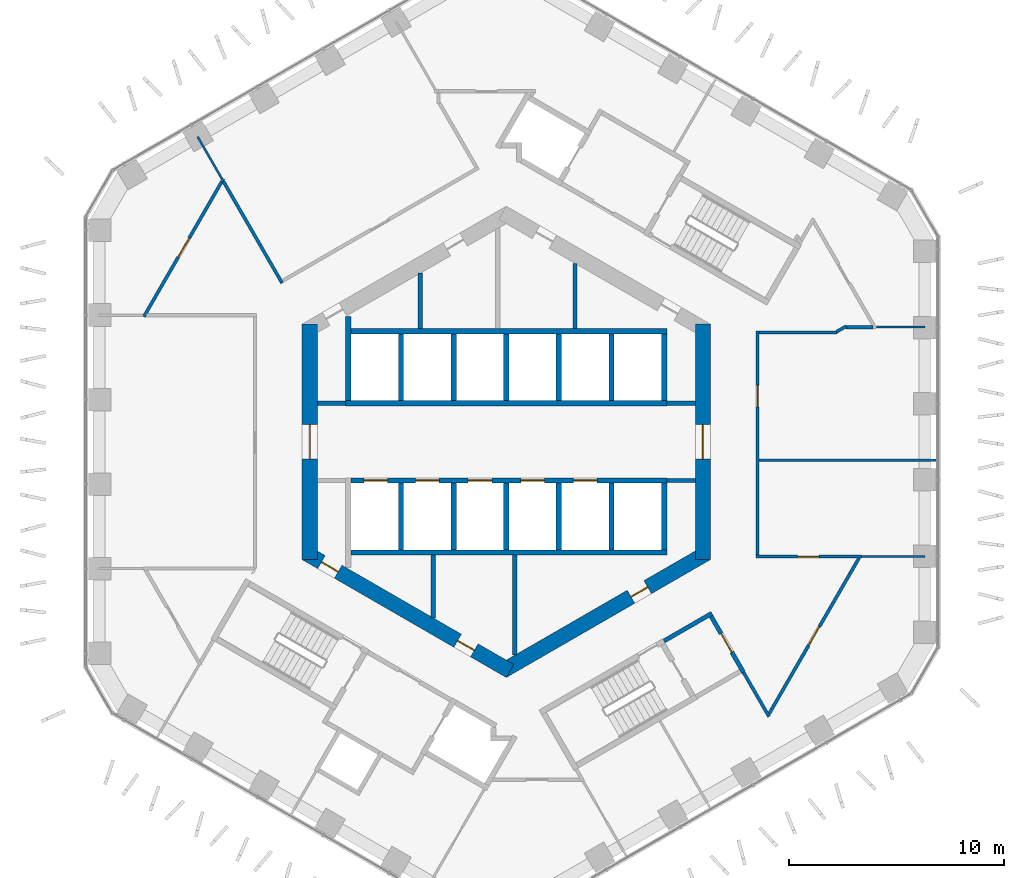
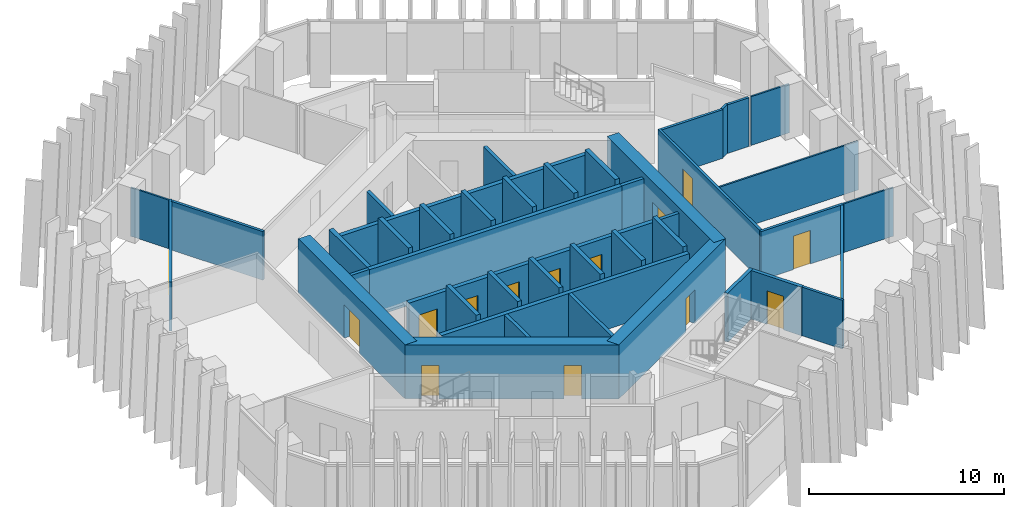
# One storey, part 14 of 19: 43 walls, 15 doors, 15 openings.
"""IFC4 building model written with IfcOpenShell, lengths in metres."""

from ifc_helpers import new_model, si_unit, direction, frame, frame_2d, origin, place, context, subcontext, project, spatial, rectangle, extrude, material, layer, layer_set, type_object, element, fill, save


model = new_model("IFC4")

# Units and contexts
model_context = context("Model", 3, precision=1e-05, world=origin(), true_north=direction((0.0, 1.0)))
body_context = subcontext(model_context, "Body", "Model", "MODEL_VIEW")
ifc_project = project(units=[si_unit("LENGTHUNIT", "METRE"), si_unit("AREAUNIT", "SQUARE_METRE"), si_unit("VOLUMEUNIT", "CUBIC_METRE"), si_unit("PLANEANGLEUNIT", "RADIAN"), si_unit("MASSUNIT", "GRAM", prefix="KILO")], contexts=[model_context])

# Site, building, storey
site_placement = place(None, origin())
site = spatial("IfcSite", under=ifc_project, at=site_placement, CompositionType="ELEMENT")
building_placement = place(site_placement, origin())
building = spatial("IfcBuilding", under=site, at=building_placement, Name="Ayvan Gate Tower", CompositionType="ELEMENT")
storey_placement = place(building_placement, frame((0.0, 0.0, 113.699951171875)))
storey = spatial("IfcBuildingStorey", under=building, at=storey_placement, Name="L30", CompositionType="ELEMENT", Elevation=113.699951171875)

# Wall, opening, door
ifc_material_1 = material(Name="Concrete C70/85", Category="concrete")
ifc_layer_1 = layer(ifc_material_1, 0.699951171875)
ifc_layer_set_1 = layer_set([ifc_layer_1], Name="Concrete C70/85")
wall_type_1 = type_object("IfcWallType", Name="Core wall 700 C70/85", PredefinedType="SHEAR", material=ifc_layer_set_1)
wall_1_placement = place(storey_placement, frame((9.14990234375, -5.48486328125, 0.0), z_axis=(0.0, 0.0, 1.0), x_axis=(0.0, 1.0, 0.0)))
wall_1 = element("IfcWall", 1, at=wall_1_placement, inside=storey, type_object=wall_type_1, Name="CORE-L30-0", PredefinedType="SHEAR", context=body_context, shape_type="SweptSolid", body=[
    extrude(rectangle(XDim=10.9697265625, YDim=0.699951171875, at=frame_2d((5.48486328125, 0.0))), origin(), (0.0, 0.0, 1.0), 3.400146484375),
])
opening_1_placement = place(wall_1_placement, frame((4.684814453125, 0.0, 0.0)))
opening_1 = element("IfcOpeningElement", 2, at=opening_1_placement, cuts=wall_1, Name="Opening L30-D37", PredefinedType="OPENING", context=body_context, shape_type="SweptSolid", body=[
    extrude(rectangle(XDim=1.60009765625, YDim=2.10009765625, at=frame_2d((0.800048828125, 1.050048828125))), frame((0.0, 0.35986328125, 0.0), z_axis=(0.0, -1.0, 0.0), x_axis=(1.0, 0.0, 0.0)), (0.0, 0.0, 1.0), 0.719970703125),
])
ifc_material_2 = material(Name="Timber door leaf", Category="wood")
door_type_1 = type_object("IfcDoorType", Name="DT-1600", OperationType="NOTDEFINED", PredefinedType="DOOR", material=ifc_material_2)
door_1_placement = place(opening_1_placement, origin())
door_1 = element("IfcDoor", 3, at=door_1_placement, inside=storey, type_object=door_type_1, Name="CD-L30-37", OperationType="SINGLE_SWING_LEFT", OverallHeight=2.10009765625, OverallWidth=1.60009765625, PredefinedType="DOOR", context=body_context, shape_type="SweptSolid", body=[
    extrude(rectangle(XDim=1.60009765625, YDim=2.10009765625, at=frame_2d((0.800048828125, 1.050048828125))), frame((0.0, 0.02490234375, 0.0), z_axis=(0.0, -1.0, 0.0), x_axis=(1.0, 0.0, 0.0)), (0.0, 0.0, 1.0), 0.050048828125),
])
fill(opening_1, door_1)

wall_2_placement = place(storey_placement, frame((-9.14990234375, 5.48486328125, 0.0), z_axis=(0.0, 0.0, 1.0), x_axis=(0.0, -1.0, 0.0)))
wall_2 = element("IfcWall", 4, at=wall_2_placement, inside=storey, type_object=wall_type_1, Name="CORE-L30-3", PredefinedType="SHEAR", context=body_context, shape_type="SweptSolid", body=[
    extrude(rectangle(XDim=10.9697265625, YDim=0.699951171875, at=frame_2d((5.48486328125, 0.0))), origin(), (0.0, 0.0, 1.0), 3.400146484375),
])
opening_2_placement = place(wall_2_placement, frame((4.684814453125, 0.0, 0.0)))
opening_2 = element("IfcOpeningElement", 5, at=opening_2_placement, cuts=wall_2, Name="Opening L30-D38", PredefinedType="OPENING", context=body_context, shape_type="SweptSolid", body=[
    extrude(rectangle(XDim=1.60009765625, YDim=2.10009765625, at=frame_2d((0.800048828125, 1.050048828125))), frame((0.0, 0.35986328125, 0.0), z_axis=(0.0, -1.0, 0.0), x_axis=(1.0, 0.0, 0.0)), (0.0, 0.0, 1.0), 0.719970703125),
])
door_2_placement = place(opening_2_placement, origin())
door_2 = element("IfcDoor", 6, at=door_2_placement, inside=storey, type_object=door_type_1, Name="CD-L30-38", OperationType="SINGLE_SWING_RIGHT", OverallHeight=2.10009765625, OverallWidth=1.60009765625, PredefinedType="DOOR", context=body_context, shape_type="SweptSolid", body=[
    extrude(rectangle(XDim=1.60009765625, YDim=2.10009765625, at=frame_2d((0.800048828125, 1.050048828125))), frame((0.0, 0.02490234375, 0.0), z_axis=(0.0, -1.0, 0.0), x_axis=(1.0, 0.0, 0.0)), (0.0, 0.0, 1.0), 0.050048828125),
])
fill(opening_2, door_2)

# Wall, openings, doors
wall_3_placement = place(storey_placement, frame((-9.324951171875, -5.181640625, 0.0), z_axis=(0.0, 0.0, 1.0), x_axis=(0.866023993627, -0.500002442456, 0.0)))
wall_3 = element("IfcWall", 7, at=wall_3_placement, inside=storey, type_object=wall_type_1, Name="CORE-L30-4", PredefinedType="SHEAR", context=body_context, shape_type="SweptSolid", body=[
    extrude(rectangle(XDim=10.9697265625, YDim=0.699951171875, at=frame_2d((5.48486328125, 0.0))), origin(), (0.0, 0.0, 1.0), 3.400146484375),
])
opening_3_placement = place(wall_3_placement, frame((0.83154296875, 0.0, 0.0)))
opening_3 = element("IfcOpeningElement", 8, at=opening_3_placement, cuts=wall_3, Name="Opening L30-D34", PredefinedType="OPENING", context=body_context, shape_type="SweptSolid", body=[
    extrude(rectangle(XDim=0.89990234375, YDim=2.10009765625, at=frame_2d((0.449951171875, 1.050048828125))), frame((0.0, 0.35986328125, 0.0), z_axis=(0.0, -1.0, 0.0), x_axis=(1.0, 0.0, 0.0)), (0.0, 0.0, 1.0), 0.719970703125),
])
opening_4_placement = place(wall_3_placement, frame((8.15185546875, 0.0, 0.0)))
opening_4 = element("IfcOpeningElement", 9, at=opening_4_placement, cuts=wall_3, Name="Opening L30-D35", PredefinedType="OPENING", context=body_context, shape_type="SweptSolid", body=[
    extrude(rectangle(XDim=0.89990234375, YDim=2.10009765625, at=frame_2d((0.449951171875, 1.050048828125))), frame((0.0, 0.35986328125, 0.0), z_axis=(0.0, -1.0, 0.0), x_axis=(1.0, 0.0, 0.0)), (0.0, 0.0, 1.0), 0.719970703125),
])
door_type_2 = type_object("IfcDoorType", Name="DT-900", OperationType="NOTDEFINED", PredefinedType="DOOR", material=ifc_material_2)
door_3_placement = place(opening_3_placement, origin())
door_3 = element("IfcDoor", 10, at=door_3_placement, inside=storey, type_object=door_type_2, Name="CD-L30-34", OperationType="SINGLE_SWING_RIGHT", OverallHeight=2.10009765625, OverallWidth=0.89990234375, PredefinedType="DOOR", context=body_context, shape_type="SweptSolid", body=[
    extrude(rectangle(XDim=0.89990234375, YDim=2.10009765625, at=frame_2d((0.449951171875, 1.050048828125))), frame((0.0, 0.02490234375, 0.0), z_axis=(0.0, -1.0, 0.0), x_axis=(1.0, 0.0, 0.0)), (0.0, 0.0, 1.0), 0.050048828125),
])
fill(opening_3, door_3)
door_4_placement = place(opening_4_placement, origin())
door_4 = element("IfcDoor", 11, at=door_4_placement, inside=storey, type_object=door_type_2, Name="CD-L30-35", OperationType="SINGLE_SWING_LEFT", OverallHeight=2.10009765625, OverallWidth=0.89990234375, PredefinedType="DOOR", context=body_context, shape_type="SweptSolid", body=[
    extrude(rectangle(XDim=0.89990234375, YDim=2.10009765625, at=frame_2d((0.449951171875, 1.050048828125))), frame((0.0, 0.02490234375, 0.0), z_axis=(0.0, -1.0, 0.0), x_axis=(1.0, 0.0, 0.0)), (0.0, 0.0, 1.0), 0.050048828125),
])
fill(opening_4, door_4)

# Wall, opening, door
wall_4_placement = place(storey_placement, frame((-0.175048828125, -10.66650390625, 0.0), z_axis=(0.0, 0.0, 1.0), x_axis=(0.866023993627, 0.500002442456, 0.0)))
wall_4 = element("IfcWall", 12, at=wall_4_placement, inside=storey, type_object=wall_type_1, Name="CORE-L30-5", PredefinedType="SHEAR", context=body_context, shape_type="SweptSolid", body=[
    extrude(rectangle(XDim=10.9697265625, YDim=0.699951171875, at=frame_2d((5.48486328125, 0.0))), origin(), (0.0, 0.0, 1.0), 3.400146484375),
])
opening_5_placement = place(wall_4_placement, frame((6.906005859375, 0.0, 0.0)))
opening_5 = element("IfcOpeningElement", 13, at=opening_5_placement, cuts=wall_4, Name="Opening L30-D36", PredefinedType="OPENING", context=body_context, shape_type="SweptSolid", body=[
    extrude(rectangle(XDim=0.89990234375, YDim=2.10009765625, at=frame_2d((0.449951171875, 1.050048828125))), frame((0.0, 0.35986328125, 0.0), z_axis=(0.0, -1.0, 0.0), x_axis=(1.0, 0.0, 0.0)), (0.0, 0.0, 1.0), 0.719970703125),
])
door_5_placement = place(opening_5_placement, origin())
door_5 = element("IfcDoor", 14, at=door_5_placement, inside=storey, type_object=door_type_2, Name="CD-L30-36", OperationType="SINGLE_SWING_RIGHT", OverallHeight=2.10009765625, OverallWidth=0.89990234375, PredefinedType="DOOR", context=body_context, shape_type="SweptSolid", body=[
    extrude(rectangle(XDim=0.89990234375, YDim=2.10009765625, at=frame_2d((0.449951171875, 1.050048828125))), frame((0.0, 0.02490234375, 0.0), z_axis=(0.0, -1.0, 0.0), x_axis=(1.0, 0.0, 0.0)), (0.0, 0.0, 1.0), 0.050048828125),
])
fill(opening_5, door_5)

ifc_material_3 = material(Name="Plasterboard on steel stud", Category="steel")
ifc_layer_2 = layer(ifc_material_3, 0.14990234375)
ifc_layer_set_2 = layer_set([ifc_layer_2], Name="Plasterboard on steel stud")
wall_type_2 = type_object("IfcWallType", Name="WT-CORR-150", PredefinedType="PARTITIONING", material=ifc_layer_set_2)
wall_5_placement = place(storey_placement, frame((-16.87255859375, 5.830810546875, 0.0), z_axis=(0.0, 0.0, 1.0), x_axis=(0.499992292652, 0.866029853578, 0.0)))
wall_5 = element("IfcWall", 15, at=wall_5_placement, inside=storey, type_object=wall_type_2, Name="IW-L30-002", PredefinedType="PARTITIONING", context=body_context, shape_type="SweptSolid", body=[
    extrude(rectangle(XDim=7.4140625, YDim=0.14990234375, at=frame_2d((3.70703125, 0.0))), origin(), (0.0, 0.0, 1.0), 3.050048828125),
])
opening_6_placement = place(wall_5_placement, frame((3.20703125, 0.0, 0.0)))
opening_6 = element("IfcOpeningElement", 16, at=opening_6_placement, cuts=wall_5, Name="Opening L30-D21", PredefinedType="OPENING", context=body_context, shape_type="SweptSolid", body=[
    extrude(rectangle(XDim=1.0, YDim=2.10009765625, at=frame_2d((0.5, 1.050048828125))), frame((0.0, 0.0849609375, 0.0), z_axis=(0.0, -1.0, 0.0), x_axis=(1.0, 0.0, 0.0)), (0.0, 0.0, 1.0), 0.169921875),
])
door_type_3 = type_object("IfcDoorType", Name="DT-1000", OperationType="NOTDEFINED", PredefinedType="DOOR", material=ifc_material_2)
door_6_placement = place(opening_6_placement, origin())
door_6 = element("IfcDoor", 17, at=door_6_placement, inside=storey, type_object=door_type_3, Name="ID-L30-021", OperationType="SINGLE_SWING_LEFT", OverallHeight=2.10009765625, OverallWidth=1.0, PredefinedType="DOOR", context=body_context, shape_type="SweptSolid", body=[
    extrude(rectangle(XDim=1.0, YDim=2.10009765625, at=frame_2d((0.5, 1.050048828125))), frame((0.0, 0.02490234375, 0.0), z_axis=(0.0, -1.0, 0.0), x_axis=(1.0, 0.0, 0.0)), (0.0, 0.0, 1.0), 0.050048828125),
])
fill(opening_6, door_6)

# Wall
wall_6_placement = place(storey_placement, frame((-13.16552734375, 12.121826171875, 0.0), z_axis=(0.0, 0.0, 1.0), x_axis=(0.500003946727, -0.866023125129, 0.0)))
element("IfcWall", 18, at=wall_6_placement, inside=storey, type_object=wall_type_2, Name="IW-L30-009", PredefinedType="PARTITIONING", context=body_context, shape_type="SweptSolid", body=[
    extrude(rectangle(XDim=5.45556640625, YDim=0.14990234375, at=frame_2d((2.727783203125, 0.0))), origin(), (0.0, 0.0, 1.0), 3.050048828125),
])

# Wall, opening, door
wall_7_placement = place(storey_placement, frame((11.625, -5.3408203125, 0.0), z_axis=(0.0, 0.0, 1.0), x_axis=(1.0, 0.0, 0.0)))
wall_7 = element("IfcWall", 19, at=wall_7_placement, inside=storey, type_object=wall_type_2, Name="IW-L30-091", PredefinedType="PARTITIONING", context=body_context, shape_type="SweptSolid", body=[
    extrude(rectangle(XDim=4.912841796875, YDim=0.14990234375, at=frame_2d((2.45654296875, 0.0))), origin(), (0.0, 0.0, 1.0), 3.050048828125),
])
opening_7_placement = place(wall_7_placement, frame((1.939208984375, 0.0, 0.0)))
opening_7 = element("IfcOpeningElement", 20, at=opening_7_placement, cuts=wall_7, Name="Opening L30-D17", PredefinedType="OPENING", context=body_context, shape_type="SweptSolid", body=[
    extrude(rectangle(XDim=1.0, YDim=2.10009765625, at=frame_2d((0.5, 1.050048828125))), frame((0.0, 0.0849609375, 0.0), z_axis=(0.0, -1.0, 0.0), x_axis=(1.0, 0.0, 0.0)), (0.0, 0.0, 1.0), 0.169921875),
])
door_7_placement = place(opening_7_placement, origin())
door_7 = element("IfcDoor", 21, at=door_7_placement, inside=storey, type_object=door_type_3, Name="ID-L30-017", OperationType="SINGLE_SWING_LEFT", OverallHeight=2.10009765625, OverallWidth=1.0, PredefinedType="DOOR", context=body_context, shape_type="SweptSolid", body=[
    extrude(rectangle(XDim=1.0, YDim=2.10009765625, at=frame_2d((0.5, 1.050048828125))), frame((0.0, 0.02490234375, 0.0), z_axis=(0.0, -1.0, 0.0), x_axis=(1.0, 0.0, 0.0)), (0.0, 0.0, 1.0), 0.050048828125),
])
fill(opening_7, door_7)

wall_8_placement = place(storey_placement, frame((11.699951171875, -5.265625, 0.0), z_axis=(0.0, 0.0, 1.0), x_axis=(0.0, 1.0, 0.0)))
wall_8 = element("IfcWall", 22, at=wall_8_placement, inside=storey, type_object=wall_type_2, Name="IW-L30-092", PredefinedType="PARTITIONING", context=body_context, shape_type="SweptSolid", body=[
    extrude(rectangle(XDim=10.431396484375, YDim=0.14990234375, at=frame_2d((5.2158203125, 0.0))), origin(), (0.0, 0.0, 1.0), 3.050048828125),
])
opening_8_placement = place(wall_8_placement, frame((6.898681640625, 0.0, 0.0)))
opening_8 = element("IfcOpeningElement", 23, at=opening_8_placement, cuts=wall_8, Name="Opening L30-D18", PredefinedType="OPENING", context=body_context, shape_type="SweptSolid", body=[
    extrude(rectangle(XDim=1.0, YDim=2.10009765625, at=frame_2d((0.5, 1.050048828125))), frame((0.0, 0.0849609375, 0.0), z_axis=(0.0, -1.0, 0.0), x_axis=(1.0, 0.0, 0.0)), (0.0, 0.0, 1.0), 0.169921875),
])
door_8_placement = place(opening_8_placement, origin())
door_8 = element("IfcDoor", 24, at=door_8_placement, inside=storey, type_object=door_type_3, Name="ID-L30-018", OperationType="SINGLE_SWING_RIGHT", OverallHeight=2.10009765625, OverallWidth=1.0, PredefinedType="DOOR", context=body_context, shape_type="SweptSolid", body=[
    extrude(rectangle(XDim=1.0, YDim=2.10009765625, at=frame_2d((0.5, 1.050048828125))), frame((0.0, 0.02490234375, 0.0), z_axis=(0.0, -1.0, 0.0), x_axis=(1.0, 0.0, 0.0)), (0.0, 0.0, 1.0), 0.050048828125),
])
fill(opening_8, door_8)

# Walls
wall_9_placement = place(storey_placement, frame((12.235595703125, -12.79248046875, 0.0), z_axis=(0.0, 0.0, 1.0), x_axis=(-0.499995825336, 0.866027814014, 0.0)))
element("IfcWall", 25, at=wall_9_placement, inside=storey, type_object=wall_type_2, Name="IW-L30-095", PredefinedType="PARTITIONING", context=body_context, shape_type="SweptSolid", body=[
    extrude(rectangle(XDim=2.396484375, YDim=0.14990234375, at=frame_2d((1.1982421875, 0.0))), origin(), (0.0, 0.0, 1.0), 3.050048828125),
])
wall_10_placement = place(storey_placement, frame((15.392333984375, 5.0908203125, 0.0), z_axis=(0.0, 0.0, 1.0), x_axis=(-1.0, 0.0, 0.0)))
element("IfcWall", 26, at=wall_10_placement, inside=storey, type_object=wall_type_2, Name="IW-L30-101", PredefinedType="PARTITIONING", context=body_context, shape_type="SweptSolid", body=[
    extrude(rectangle(XDim=3.617431640625, YDim=0.14990234375, at=frame_2d((1.80859375, 0.0))), origin(), (0.0, 0.0, 1.0), 3.050048828125),
])
wall_11_placement = place(storey_placement, frame((15.815185546875, 5.378173828125, 0.0), z_axis=(0.0, 0.0, 1.0), x_axis=(-0.865949687125, -0.500131122175, 0.0)))
element("IfcWall", 27, at=wall_11_placement, inside=storey, type_object=wall_type_2, Name="IW-L30-102", PredefinedType="PARTITIONING", context=body_context, shape_type="SweptSolid", body=[
    extrude(rectangle(XDim=0.499755859375, YDim=0.14990234375, at=frame_2d((0.25, 0.0))), origin(), (0.0, 0.0, 1.0), 3.050048828125),
])

# Wall, opening, door
wall_12_placement = place(storey_placement, frame((16.42529296875, -5.40576171875, 0.0), z_axis=(0.0, 0.0, 1.0), x_axis=(-0.499996516801, -0.866027414801, 0.0)))
wall_12 = element("IfcWall", 28, at=wall_12_placement, inside=storey, type_object=wall_type_2, Name="IW-L30-103", PredefinedType="PARTITIONING", context=body_context, shape_type="SweptSolid", body=[
    extrude(rectangle(XDim=8.37939453125, YDim=0.14990234375, at=frame_2d((4.189697265625, 0.0))), origin(), (0.0, 0.0, 1.0), 3.050048828125),
])
opening_9_placement = place(wall_12_placement, frame((3.689697265625, 0.0, 0.0)))
opening_9 = element("IfcOpeningElement", 29, at=opening_9_placement, cuts=wall_12, Name="Opening L30-D28", PredefinedType="OPENING", context=body_context, shape_type="SweptSolid", body=[
    extrude(rectangle(XDim=1.0, YDim=2.10009765625, at=frame_2d((0.5, 1.050048828125))), frame((0.0, 0.0849609375, 0.0), z_axis=(0.0, -1.0, 0.0), x_axis=(1.0, 0.0, 0.0)), (0.0, 0.0, 1.0), 0.169921875),
])
door_9_placement = place(opening_9_placement, origin())
door_9 = element("IfcDoor", 30, at=door_9_placement, inside=storey, type_object=door_type_3, Name="ID-L30-028", OperationType="SINGLE_SWING_RIGHT", OverallHeight=2.10009765625, OverallWidth=1.0, PredefinedType="DOOR", context=body_context, shape_type="SweptSolid", body=[
    extrude(rectangle(XDim=1.0, YDim=2.10009765625, at=frame_2d((0.5, 1.050048828125))), frame((0.0, 0.02490234375, 0.0), z_axis=(0.0, -1.0, 0.0), x_axis=(1.0, 0.0, 0.0)), (0.0, 0.0, 1.0), 0.050048828125),
])
fill(opening_9, door_9)

# Walls
wall_13_placement = place(storey_placement, frame((17.08056640625, 5.3408203125, 0.0), z_axis=(0.0, 0.0, 1.0), x_axis=(-1.0, 0.0, 0.0)))
element("IfcWall", 31, at=wall_13_placement, inside=storey, type_object=wall_type_2, Name="IW-L30-105", PredefinedType="PARTITIONING", context=body_context, shape_type="SweptSolid", body=[
    extrude(rectangle(XDim=1.255126953125, YDim=0.14990234375, at=frame_2d((0.62744140625, 0.0))), origin(), (0.0, 0.0, 1.0), 3.050048828125),
])
ifc_layer_3 = layer(ifc_material_3, 0.10009765625)
ifc_layer_set_3 = layer_set([ifc_layer_3], Name="Plasterboard on steel stud")
wall_type_3 = type_object("IfcWallType", Name="WT-PART-100", PredefinedType="PARTITIONING", material=ifc_layer_set_3)
wall_14_placement = place(storey_placement, frame((-14.367919921875, 14.20458984375, 0.0), z_axis=(0.0, 0.0, 1.0), x_axis=(0.499981745636, -0.86603594269, 0.0)))
element("IfcWall", 32, at=wall_14_placement, inside=storey, type_object=wall_type_3, Name="IW-L30-004", PredefinedType="PARTITIONING", context=body_context, shape_type="SweptSolid", body=[
    extrude(rectangle(XDim=2.2548828125, YDim=0.10009765625, at=frame_2d((1.12744140625, 0.0))), origin(), (0.0, 0.0, 1.0), 3.050048828125),
])
wall_15_placement = place(storey_placement, frame((11.77490234375, -0.8544921875, 0.0), z_axis=(0.0, 0.0, 1.0), x_axis=(1.0, 0.0, 0.0)))
element("IfcWall", 33, at=wall_15_placement, inside=storey, type_object=wall_type_3, Name="IW-L30-093", PredefinedType="PARTITIONING", context=body_context, shape_type="SweptSolid", body=[
    extrude(rectangle(XDim=8.231689453125, YDim=0.10009765625, at=frame_2d((4.11572265625, 0.0))), origin(), (0.0, 0.0, 1.0), 3.050048828125),
])
wall_16_placement = place(storey_placement, frame((17.23046875, 5.3408203125, 0.0), z_axis=(0.0, 0.0, 1.0), x_axis=(1.0, 0.0, 0.0)))
element("IfcWall", 34, at=wall_16_placement, inside=storey, type_object=wall_type_3, Name="IW-L30-104", PredefinedType="PARTITIONING", context=body_context, shape_type="SweptSolid", body=[
    extrude(rectangle(XDim=2.255126953125, YDim=0.10009765625, at=frame_2d((1.12744140625, 0.0))), origin(), (0.0, 0.0, 1.0), 3.050048828125),
])
wall_17_placement = place(storey_placement, frame((19.485595703125, -5.3408203125, 0.0), z_axis=(0.0, 0.0, 1.0), x_axis=(-1.0, 0.0, 0.0)))
element("IfcWall", 35, at=wall_17_placement, inside=storey, type_object=wall_type_3, Name="IW-L30-106", PredefinedType="PARTITIONING", context=body_context, shape_type="SweptSolid", body=[
    extrude(rectangle(XDim=2.94775390625, YDim=0.10009765625, at=frame_2d((1.473876953125, 0.0))), origin(), (0.0, 0.0, 1.0), 3.050048828125),
])
ifc_layer_4 = layer(ifc_material_3, 0.199951171875)
ifc_layer_set_4 = layer_set([ifc_layer_4], Name="Plasterboard on steel stud")
wall_type_4 = type_object("IfcWallType", Name="WT-RATED-200", PredefinedType="PARTITIONING", material=ifc_layer_set_4)
wall_18_placement = place(storey_placement, frame((-8.800048828125, 1.800048828125, 0.0), z_axis=(0.0, 0.0, 1.0), x_axis=(1.0, 0.0, 0.0)))
element("IfcWall", 36, at=wall_18_placement, inside=storey, type_object=wall_type_4, Name="IW-L30-015", PredefinedType="PARTITIONING", context=body_context, shape_type="SweptSolid", body=[
    extrude(rectangle(XDim=1.3251953125, YDim=0.199951171875, at=frame_2d((0.66259765625, 0.0))), origin(), (0.0, 0.0, 1.0), 3.050048828125),
])
wall_19_placement = place(storey_placement, frame((-4.0, 7.85205078125, 0.0), z_axis=(0.0, 0.0, 1.0), x_axis=(0.0, -1.0, 0.0)))
element("IfcWall", 37, at=wall_19_placement, inside=storey, type_object=wall_type_4, Name="IW-L30-035", PredefinedType="PARTITIONING", context=body_context, shape_type="SweptSolid", body=[
    extrude(rectangle(XDim=2.5771484375, YDim=0.199951171875, at=frame_2d((1.28857421875, 0.0))), origin(), (0.0, 0.0, 1.0), 3.050048828125),
])
wall_20_placement = place(storey_placement, frame((-3.39990234375, -5.27490234375, 0.0), z_axis=(0.0, 0.0, 1.0), x_axis=(0.0, -1.0, 0.0)))
element("IfcWall", 38, at=wall_20_placement, inside=storey, type_object=wall_type_4, Name="IW-L30-038", PredefinedType="PARTITIONING", context=body_context, shape_type="SweptSolid", body=[
    extrude(rectangle(XDim=2.923583984375, YDim=0.199951171875, at=frame_2d((1.4619140625, 0.0))), origin(), (0.0, 0.0, 1.0), 3.050048828125),
])
wall_21_placement = place(storey_placement, frame((0.39990234375, -5.27490234375, 0.0), z_axis=(0.0, 0.0, 1.0), x_axis=(0.0, -1.0, 0.0)))
element("IfcWall", 39, at=wall_21_placement, inside=storey, type_object=wall_type_4, Name="IW-L30-057", PredefinedType="PARTITIONING", context=body_context, shape_type="SweptSolid", body=[
    extrude(rectangle(XDim=4.655517578125, YDim=0.199951171875, at=frame_2d((2.32763671875, 0.0))), origin(), (0.0, 0.0, 1.0), 3.050048828125),
])
wall_22_placement = place(storey_placement, frame((3.199951171875, 8.313720703125, 0.0), z_axis=(0.0, 0.0, 1.0), x_axis=(0.0, -1.0, 0.0)))
element("IfcWall", 40, at=wall_22_placement, inside=storey, type_object=wall_type_4, Name="IW-L30-069", PredefinedType="PARTITIONING", context=body_context, shape_type="SweptSolid", body=[
    extrude(rectangle(XDim=3.038818359375, YDim=0.199951171875, at=frame_2d((1.51953125, 0.0))), origin(), (0.0, 0.0, 1.0), 3.050048828125),
])
wall_23_placement = place(storey_placement, frame((7.343994140625, -9.27001953125, 0.0), z_axis=(0.0, 0.0, 1.0), x_axis=(0.866005588531, 0.500034319456, 0.0)))
element("IfcWall", 41, at=wall_23_placement, inside=storey, type_object=wall_type_4, Name="IW-L30-081", PredefinedType="PARTITIONING", context=body_context, shape_type="SweptSolid", body=[
    extrude(rectangle(XDim=2.574951171875, YDim=0.199951171875, at=frame_2d((1.28759765625, 0.0))), origin(), (0.0, 0.0, 1.0), 3.050048828125),
])
for number, where, z_axis, x_axis, name in (
    (42, (7.474853515625, 1.800048828125, 0.0), (0.0, 0.0, 1.0), (1.0, 0.0, 0.0), "IW-L30-082"),
    (43, (8.800048828125, -1.800048828125, 0.0), (0.0, 0.0, 1.0), (-1.0, 0.0, 0.0), "IW-L30-088"),
):
    element("IfcWall", number, at=place(storey_placement, frame(where, z_axis=z_axis, x_axis=x_axis)), inside=storey, type_object=wall_type_4, Name=name, PredefinedType="PARTITIONING", context=body_context, shape_type="SweptSolid", body=[
        extrude(rectangle(XDim=1.3251953125, YDim=0.199951171875, at=frame_2d((0.66259765625, 0.0))), origin(), (0.0, 0.0, 1.0), 3.050048828125),
    ])

# Wall, opening, door
wall_24_placement = place(storey_placement, frame((9.537353515625, -8.119140625, 0.0), z_axis=(0.0, 0.0, 1.0), x_axis=(0.499990139034, -0.866031096941, 0.0)))
wall_24 = element("IfcWall", 44, at=wall_24_placement, inside=storey, type_object=wall_type_4, Name="IW-L30-089", PredefinedType="PARTITIONING", context=body_context, shape_type="SweptSolid", body=[
    extrude(rectangle(XDim=3.0, YDim=0.199951171875, at=frame_2d((1.5, 0.0))), origin(), (0.0, 0.0, 1.0), 3.050048828125),
])
opening_10_placement = place(wall_24_placement, frame((0.93505859375, 0.0, 0.0)))
opening_10 = element("IfcOpeningElement", 45, at=opening_10_placement, cuts=wall_24, Name="Opening L30-D15", PredefinedType="OPENING", context=body_context, shape_type="SweptSolid", body=[
    extrude(rectangle(XDim=1.0, YDim=2.10009765625, at=frame_2d((0.5, 1.050048828125))), frame((0.0, 0.10986328125, 0.0), z_axis=(0.0, -1.0, 0.0), x_axis=(1.0, 0.0, 0.0)), (0.0, 0.0, 1.0), 0.219970703125),
])
door_10_placement = place(opening_10_placement, origin())
door_10 = element("IfcDoor", 46, at=door_10_placement, inside=storey, type_object=door_type_3, Name="ID-L30-015", OperationType="SINGLE_SWING_LEFT", OverallHeight=2.10009765625, OverallWidth=1.0, PredefinedType="DOOR", context=body_context, shape_type="SweptSolid", body=[
    extrude(rectangle(XDim=1.0, YDim=2.10009765625, at=frame_2d((0.5, 1.050048828125))), frame((0.0, 0.02490234375, 0.0), z_axis=(0.0, -1.0, 0.0), x_axis=(1.0, 0.0, 0.0)), (0.0, 0.0, 1.0), 0.050048828125),
])
fill(opening_10, door_10)

# Walls
ifc_material_4 = material(Name="Concrete C50/60", Category="concrete")
ifc_layer_5 = layer(ifc_material_4, 0.25)
ifc_layer_set_5 = layer_set([ifc_layer_5], Name="Concrete C50/60")
wall_type_5 = type_object("IfcWallType", Name="WT-RC-250", PredefinedType="SHEAR", material=ifc_layer_set_5)
wall_25_placement = place(storey_placement, frame((-7.47509765625, 1.800048828125, 0.0), z_axis=(0.0, 0.0, 1.0), x_axis=(1.0, 0.0, 0.0)))
element("IfcWall", 47, at=wall_25_placement, inside=storey, type_object=wall_type_5, Name="IW-L30-020", PredefinedType="SHEAR", context=body_context, shape_type="SweptSolid", body=[
    extrude(rectangle(XDim=14.9501953125, YDim=0.25, at=frame_2d((7.47509765625, 0.0))), origin(), (0.0, 0.0, 1.0), 3.050048828125),
])
wall_26_placement = place(storey_placement, frame((-7.35009765625, 1.925048828125, 0.0), z_axis=(0.0, 0.0, 1.0), x_axis=(0.0, 1.0, 0.0)))
element("IfcWall", 48, at=wall_26_placement, inside=storey, type_object=wall_type_5, Name="IW-L30-022", PredefinedType="SHEAR", context=body_context, shape_type="SweptSolid", body=[
    extrude(rectangle(XDim=3.920654296875, YDim=0.25, at=frame_2d((1.96044921875, 0.0))), origin(), (0.0, 0.0, 1.0), 3.050048828125),
])
for number, where, z_axis, x_axis, name in (
    (49, (-7.22509765625, 5.14990234375, 0.0), (0.0, 0.0, 1.0), (1.0, 0.0, 0.0), "IW-L30-023"),
    (50, (-7.22509765625, -5.14990234375, 0.0), (0.0, 0.0, 1.0), (1.0, 0.0, 0.0), "IW-L30-030"),
):
    element("IfcWall", number, at=place(storey_placement, frame(where, z_axis=z_axis, x_axis=x_axis)), inside=storey, type_object=wall_type_5, Name=name, PredefinedType="SHEAR", context=body_context, shape_type="SweptSolid", body=[
        extrude(rectangle(XDim=14.7001953125, YDim=0.25, at=frame_2d((7.35009765625, 0.0))), origin(), (0.0, 0.0, 1.0), 3.050048828125),
    ])
for number, where, z_axis, x_axis, name in (
    (51, (-4.89990234375, -1.925048828125, 0.0), (0.0, 0.0, 1.0), (0.0, -1.0, 0.0), "IW-L30-031"),
    (52, (-4.89990234375, 5.02490234375, 0.0), (0.0, 0.0, 1.0), (0.0, -1.0, 0.0), "IW-L30-032"),
):
    element("IfcWall", number, at=place(storey_placement, frame(where, z_axis=z_axis, x_axis=x_axis)), inside=storey, type_object=wall_type_5, Name=name, PredefinedType="SHEAR", context=body_context, shape_type="SweptSolid", body=[
        extrude(rectangle(XDim=3.099853515625, YDim=0.25, at=frame_2d((1.5498046875, 0.0))), origin(), (0.0, 0.0, 1.0), 3.400146484375),
    ])

# Wall, openings, doors
wall_27_placement = place(storey_placement, frame((-7.22509765625, -1.800048828125, 0.0), z_axis=(0.0, 0.0, 1.0), x_axis=(1.0, 0.0, 0.0)))
wall_27 = element("IfcWall", 53, at=wall_27_placement, inside=storey, type_object=wall_type_5, Name="IW-L30-033", PredefinedType="SHEAR", context=body_context, shape_type="SweptSolid", body=[
    extrude(rectangle(XDim=14.7001953125, YDim=0.25, at=frame_2d((7.35009765625, 0.0))), origin(), (0.0, 0.0, 1.0), 3.050048828125),
])
opening_11_placement = place(wall_27_placement, frame((0.597412109375, 0.0, 0.0)))
opening_11 = element("IfcOpeningElement", 54, at=opening_11_placement, cuts=wall_27, Name="Opening L30-LD-LR1", PredefinedType="OPENING", context=body_context, shape_type="SweptSolid", body=[
    extrude(rectangle(XDim=1.10009765625, YDim=2.10009765625, at=frame_2d((0.550048828125, 1.050048828125))), frame((0.0, 0.135009765625, 0.0), z_axis=(0.0, -1.0, 0.0), x_axis=(1.0, 0.0, 0.0)), (0.0, 0.0, 1.0), 0.27001953125),
])
opening_12_placement = place(wall_27_placement, frame((3.0, 0.0, 0.0)))
opening_12 = element("IfcOpeningElement", 55, at=opening_12_placement, cuts=wall_27, Name="Opening L30-LD-LR2", PredefinedType="OPENING", context=body_context, shape_type="SweptSolid", body=[
    extrude(rectangle(XDim=1.10009765625, YDim=2.10009765625, at=frame_2d((0.550048828125, 1.050048828125))), frame((0.0, 0.135009765625, 0.0), z_axis=(0.0, -1.0, 0.0), x_axis=(1.0, 0.0, 0.0)), (0.0, 0.0, 1.0), 0.27001953125),
])
opening_13_placement = place(wall_27_placement, frame((5.4501953125, 0.0, 0.0)))
opening_13 = element("IfcOpeningElement", 56, at=opening_13_placement, cuts=wall_27, Name="Opening L30-LD-LR3", PredefinedType="OPENING", context=body_context, shape_type="SweptSolid", body=[
    extrude(rectangle(XDim=1.10009765625, YDim=2.10009765625, at=frame_2d((0.550048828125, 1.050048828125))), frame((0.0, 0.135009765625, 0.0), z_axis=(0.0, -1.0, 0.0), x_axis=(1.0, 0.0, 0.0)), (0.0, 0.0, 1.0), 0.27001953125),
])
opening_14_placement = place(wall_27_placement, frame((7.900146484375, 0.0, 0.0)))
opening_14 = element("IfcOpeningElement", 57, at=opening_14_placement, cuts=wall_27, Name="Opening L30-LD-LR4", PredefinedType="OPENING", context=body_context, shape_type="SweptSolid", body=[
    extrude(rectangle(XDim=1.10009765625, YDim=2.10009765625, at=frame_2d((0.550048828125, 1.050048828125))), frame((0.0, 0.135009765625, 0.0), z_axis=(0.0, -1.0, 0.0), x_axis=(1.0, 0.0, 0.0)), (0.0, 0.0, 1.0), 0.27001953125),
])
opening_15_placement = place(wall_27_placement, frame((10.35009765625, 0.0, 0.0)))
opening_15 = element("IfcOpeningElement", 58, at=opening_15_placement, cuts=wall_27, Name="Opening L30-LD-SV", PredefinedType="OPENING", context=body_context, shape_type="SweptSolid", body=[
    extrude(rectangle(XDim=1.10009765625, YDim=2.10009765625, at=frame_2d((0.550048828125, 1.050048828125))), frame((0.0, 0.135009765625, 0.0), z_axis=(0.0, -1.0, 0.0), x_axis=(1.0, 0.0, 0.0)), (0.0, 0.0, 1.0), 0.27001953125),
])
ifc_material_5 = material(Name="Stainless steel landing door", Category="steel")
door_type_4 = type_object("IfcDoorType", Name="DT-LANDING-1100", OperationType="SLIDING_TO_LEFT", PredefinedType="DOOR", material=ifc_material_5)
door_11_placement = place(opening_11_placement, origin())
door_11 = element("IfcDoor", 59, at=door_11_placement, inside=storey, type_object=door_type_4, Name="ID-L30-001", OperationType="SLIDING_TO_LEFT", OverallHeight=2.10009765625, OverallWidth=1.10009765625, PredefinedType="DOOR", context=body_context, shape_type="SweptSolid", body=[
    extrude(rectangle(XDim=1.10009765625, YDim=2.10009765625, at=frame_2d((0.550048828125, 1.050048828125))), frame((0.0, 0.02490234375, 0.0), z_axis=(0.0, -1.0, 0.0), x_axis=(1.0, 0.0, 0.0)), (0.0, 0.0, 1.0), 0.050048828125),
])
fill(opening_11, door_11)
door_12_placement = place(opening_12_placement, origin())
door_12 = element("IfcDoor", 60, at=door_12_placement, inside=storey, type_object=door_type_4, Name="ID-L30-002", OperationType="SLIDING_TO_LEFT", OverallHeight=2.10009765625, OverallWidth=1.10009765625, PredefinedType="DOOR", context=body_context, shape_type="SweptSolid", body=[
    extrude(rectangle(XDim=1.10009765625, YDim=2.10009765625, at=frame_2d((0.550048828125, 1.050048828125))), frame((0.0, 0.02490234375, 0.0), z_axis=(0.0, -1.0, 0.0), x_axis=(1.0, 0.0, 0.0)), (0.0, 0.0, 1.0), 0.050048828125),
])
fill(opening_12, door_12)
door_13_placement = place(opening_13_placement, origin())
door_13 = element("IfcDoor", 61, at=door_13_placement, inside=storey, type_object=door_type_4, Name="ID-L30-003", OperationType="SLIDING_TO_LEFT", OverallHeight=2.10009765625, OverallWidth=1.10009765625, PredefinedType="DOOR", context=body_context, shape_type="SweptSolid", body=[
    extrude(rectangle(XDim=1.10009765625, YDim=2.10009765625, at=frame_2d((0.550048828125, 1.050048828125))), frame((0.0, 0.02490234375, 0.0), z_axis=(0.0, -1.0, 0.0), x_axis=(1.0, 0.0, 0.0)), (0.0, 0.0, 1.0), 0.050048828125),
])
fill(opening_13, door_13)
door_14_placement = place(opening_14_placement, origin())
door_14 = element("IfcDoor", 62, at=door_14_placement, inside=storey, type_object=door_type_4, Name="ID-L30-004", OperationType="SLIDING_TO_LEFT", OverallHeight=2.10009765625, OverallWidth=1.10009765625, PredefinedType="DOOR", context=body_context, shape_type="SweptSolid", body=[
    extrude(rectangle(XDim=1.10009765625, YDim=2.10009765625, at=frame_2d((0.550048828125, 1.050048828125))), frame((0.0, 0.02490234375, 0.0), z_axis=(0.0, -1.0, 0.0), x_axis=(1.0, 0.0, 0.0)), (0.0, 0.0, 1.0), 0.050048828125),
])
fill(opening_14, door_14)
door_15_placement = place(opening_15_placement, origin())
door_15 = element("IfcDoor", 63, at=door_15_placement, inside=storey, type_object=door_type_4, Name="ID-L30-005", OperationType="SLIDING_TO_LEFT", OverallHeight=2.10009765625, OverallWidth=1.10009765625, PredefinedType="DOOR", context=body_context, shape_type="SweptSolid", body=[
    extrude(rectangle(XDim=1.10009765625, YDim=2.10009765625, at=frame_2d((0.550048828125, 1.050048828125))), frame((0.0, 0.02490234375, 0.0), z_axis=(0.0, -1.0, 0.0), x_axis=(1.0, 0.0, 0.0)), (0.0, 0.0, 1.0), 0.050048828125),
])
fill(opening_15, door_15)

# Walls
for number, where, z_axis, x_axis, name in (
    (64, (-2.449951171875, -1.925048828125, 0.0), (0.0, 0.0, 1.0), (0.0, -1.0, 0.0), "IW-L30-046"),
    (65, (-2.449951171875, 5.02490234375, 0.0), (0.0, 0.0, 1.0), (0.0, -1.0, 0.0), "IW-L30-047"),
    (66, (0.0, -1.925048828125, 0.0), (0.0, 0.0, 1.0), (0.0, -1.0, 0.0), "IW-L30-055"),
    (67, (0.0, 5.02490234375, 0.0), (0.0, 0.0, 1.0), (0.0, -1.0, 0.0), "IW-L30-056"),
    (68, (2.449951171875, -1.925048828125, 0.0), (0.0, 0.0, 1.0), (0.0, -1.0, 0.0), "IW-L30-063"),
    (69, (2.449951171875, 5.02490234375, 0.0), (0.0, 0.0, 1.0), (0.0, -1.0, 0.0), "IW-L30-064"),
    (70, (4.89990234375, -1.925048828125, 0.0), (0.0, 0.0, 1.0), (0.0, -1.0, 0.0), "IW-L30-074"),
    (71, (4.89990234375, 5.02490234375, 0.0), (0.0, 0.0, 1.0), (0.0, -1.0, 0.0), "IW-L30-075"),
    (72, (7.35009765625, -1.925048828125, 0.0), (0.0, 0.0, 1.0), (0.0, -1.0, 0.0), "IW-L30-083"),
    (73, (7.35009765625, 5.02490234375, 0.0), (0.0, 0.0, 1.0), (0.0, -1.0, 0.0), "IW-L30-084"),
):
    element("IfcWall", number, at=place(storey_placement, frame(where, z_axis=z_axis, x_axis=x_axis)), inside=storey, type_object=wall_type_5, Name=name, PredefinedType="SHEAR", context=body_context, shape_type="SweptSolid", body=[
        extrude(rectangle(XDim=3.099853515625, YDim=0.25, at=frame_2d((1.5498046875, 0.0))), origin(), (0.0, 0.0, 1.0), 3.400146484375),
    ])

save(model, "model.ifc")
